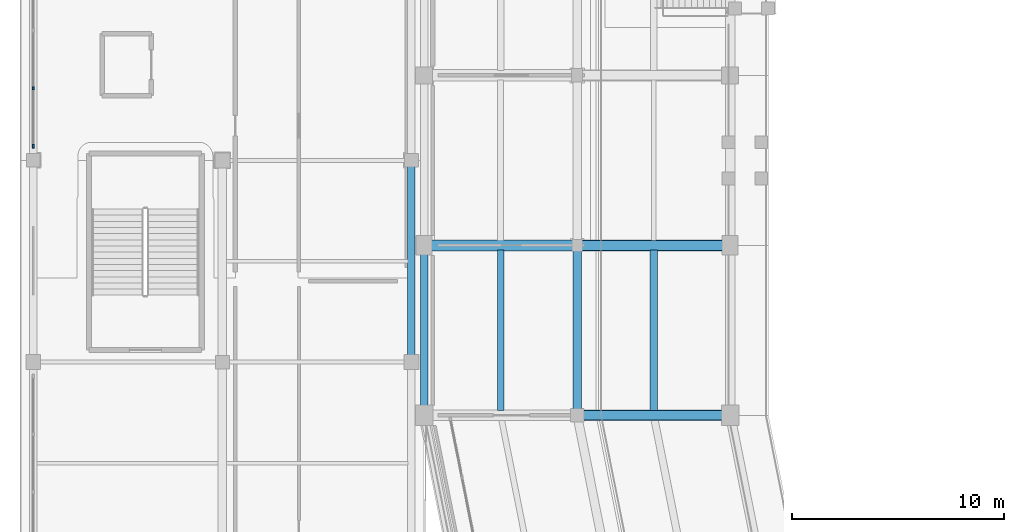
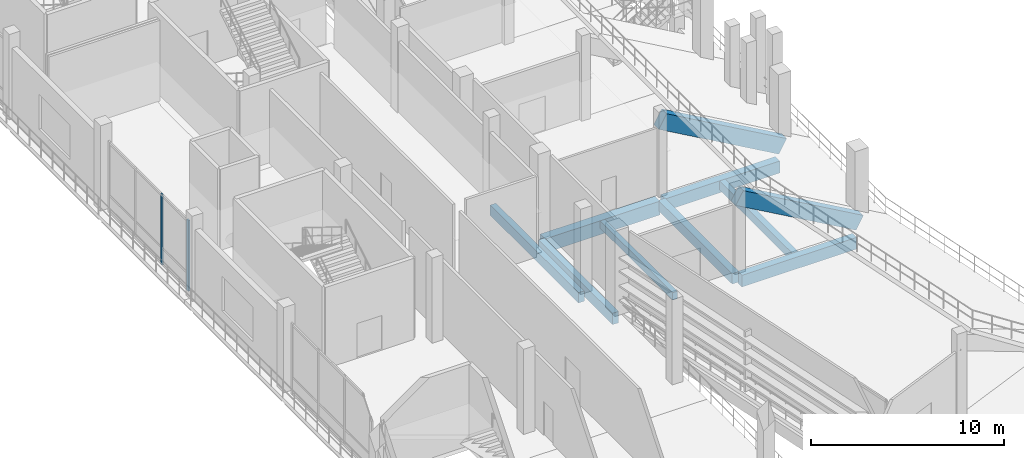
# One storey, part 26 of 127: 10 beams, 2 members, 1 element without a shape of its own.
"""IFC4 building model written with IfcOpenShell, lengths in metres."""

from ifc_helpers import new_model, si_unit, direction, frame, origin, origin_2d, place, context, subcontext, project, spatial, rectangle, extrude, material, material_profile, profile_set, type_object, element, aggregate, save


model = new_model("IFC4")

# Units and contexts
model_context = context("Model", 3, precision=1e-05, world=origin(), true_north=direction((0.0, 1.0)))
body_context = subcontext(model_context, "Body", "Model", "MODEL_VIEW")
ifc_project = project(units=[si_unit("LENGTHUNIT", "METRE"), si_unit("AREAUNIT", "SQUARE_METRE"), si_unit("VOLUMEUNIT", "CUBIC_METRE"), si_unit("PLANEANGLEUNIT", "RADIAN"), si_unit("MASSUNIT", "GRAM", prefix="KILO")], contexts=[model_context])

# Site, building, storey
site_placement = place(None, origin())
site = spatial("IfcSite", under=ifc_project, at=site_placement, CompositionType="ELEMENT")
building_placement = place(site_placement, origin())
building = spatial("IfcBuilding", under=site, at=building_placement, Name="Candeia Ridge Stadium", CompositionType="ELEMENT")
storey_placement = place(building_placement, frame((0.0, 0.0, 10.800048828125)))
storey = spatial("IfcBuildingStorey", under=building, at=storey_placement, Name="L02", CompositionType="ELEMENT", Elevation=10.800048828125)

# Beams
ifc_material_1 = material(Name="Concrete C45/55", Category="concrete")
ifc_material_profile_1 = material_profile(ifc_material_1, rectangle(XDim=0.5, YDim=0.89990234375, at=origin_2d()), Name="RC500x900", Category="concrete")
ifc_profile_set_1 = profile_set([ifc_material_profile_1], Name="Concrete C45/55")
beam_type_1 = type_object("IfcBeamType", Name="Club Stand Raker Beam RC500x900", PredefinedType="USERDEFINED", material=ifc_profile_set_1)
beam_1_placement = place(storey_placement, frame((33.39990234375, 71.0, 0.624267578125), z_axis=(-0.869244421404, 0.0, 0.494382580455), x_axis=(0.0, -1.0, 0.0)))
element("IfcBeam", 1, at=beam_1_placement, inside=storey, type_object=beam_type_1, Name="Stand T2 inclined concrete raker beam 15", ObjectType="RAKER", PredefinedType="USERDEFINED", context=body_context, shape_type="SweptSolid", body=[
    extrude(rectangle(XDim=0.5, YDim=0.89990234375, at=origin_2d()), origin(), (0.0, 0.0, 1.0), 8.282958984375),
])
ifc_material_2 = material(Name="Concrete C40/50", Category="concrete")
ifc_material_profile_2 = material_profile(ifc_material_2, rectangle(XDim=0.35009765625, YDim=0.550048828125, at=origin_2d()), Name="RC350x550", Category="concrete")
ifc_profile_set_2 = profile_set([ifc_material_profile_2], Name="Concrete C40/50")
beam_type_2 = type_object("IfcBeamType", Name="Concourse Concrete Joist RC350x550", PredefinedType="JOIST", material=ifc_profile_set_2)
beam_2_placement = place(storey_placement, frame((29.800048828125, 78.778076171875, -0.53515625), z_axis=(0.0, -1.0, 0.0), x_axis=(1.0, 0.0, 0.0)))
element("IfcBeam", 2, at=beam_2_placement, inside=storey, type_object=beam_type_2, Name="Concourse secondary joist BM-L02-0376", PredefinedType="JOIST", context=body_context, shape_type="SweptSolid", body=[
    extrude(rectangle(XDim=0.35009765625, YDim=0.550048828125, at=origin_2d()), origin(), (0.0, 0.0, 1.0), 7.55615234375),
])

# Curtain wall, members
ifc_material_3 = material(Name="Aluminium Anodized Warm Bronze", Category="aluminium")
curtain_wall_type = type_object("IfcCurtainWallType", Name="Cardinal Entrance Gate Tall Glazed Curtain Wall", PredefinedType="NOTDEFINED", material=ifc_material_3)
curtain_wall_placement = place(storey_placement, origin())
curtain_wall = element("IfcCurtainWall", 3, at=curtain_wall_placement, inside=storey, type_object=curtain_wall_type, Name="Unitised curtain wall CW-WNG-L02-084", PredefinedType="NOTDEFINED")
ifc_material_profile_3 = material_profile(ifc_material_3, rectangle(XDim=0.090087890625, YDim=0.179931640625, at=origin_2d()), Name="CWM-90x180", Category="aluminium")
ifc_profile_set_3 = profile_set([ifc_material_profile_3], Name="Aluminium Anodized Warm Bronze")
member_type_1 = type_object("IfcMemberType", Name="Curtain Wall Primary Mullion 90x180", PredefinedType="MULLION", material=ifc_profile_set_3)
member_1_placement = place(storey_placement, frame((0.60009765625, 83.659912109375, 0.0), z_axis=(0.0, 0.0, 1.0), x_axis=(1.0, 0.0, 0.0)))
member_1 = element("IfcMember", 4, at=member_1_placement, type_object=member_type_1, Name="Curtain wall mullion CW-WNG-L02-084-M0", PredefinedType="MULLION", context=body_context, shape_type="SweptSolid", body=[
    extrude(rectangle(XDim=0.090087890625, YDim=0.179931640625, at=origin_2d()), origin(), (0.0, 0.0, 1.0), 4.48486328125),
])
ifc_material_profile_4 = material_profile(ifc_material_3, rectangle(XDim=0.074951171875, YDim=0.14990234375, at=origin_2d()), Name="CWM-75x150", Category="aluminium")
ifc_profile_set_4 = profile_set([ifc_material_profile_4], Name="Aluminium Anodized Warm Bronze")
member_type_2 = type_object("IfcMemberType", Name="Curtain Wall Secondary Mullion 75x150", PredefinedType="MULLION", material=ifc_profile_set_4)
member_2_placement = place(storey_placement, frame((0.60009765625, 86.38671875, 0.0), z_axis=(0.0, 0.0, 1.0), x_axis=(1.0, 0.0, 0.0)))
member_2 = element("IfcMember", 5, at=member_2_placement, type_object=member_type_2, Name="Curtain wall mullion CW-WNG-L02-084-M1", PredefinedType="MULLION", context=body_context, shape_type="SweptSolid", body=[
    extrude(rectangle(XDim=0.074951171875, YDim=0.14990234375, at=origin_2d()), origin(), (0.0, 0.0, 1.0), 4.48486328125),
])
aggregate(curtain_wall, [member_1, member_2])

# Beams
ifc_material_profile_5 = material_profile(ifc_material_2, rectangle(XDim=0.2900390625, YDim=0.469970703125, at=origin_2d()), Name="RC290x470", Category="concrete")
ifc_profile_set_5 = profile_set([ifc_material_profile_5], Name="Concrete C40/50")
beam_type_3 = type_object("IfcBeamType", Name="Floor Joist RC290x470", PredefinedType="JOIST", material=ifc_profile_set_5)
beam_3_placement = place(storey_placement, frame((22.60009765625, 78.778076171875, -0.4951171875), z_axis=(0.0, -1.0, 0.0), x_axis=(1.0, 0.0, 0.0)))
element("IfcBeam", 6, at=beam_3_placement, inside=storey, type_object=beam_type_3, Name="Concourse secondary joist BM-L02-0377", PredefinedType="JOIST", context=body_context, shape_type="SweptSolid", body=[
    extrude(rectangle(XDim=0.2900390625, YDim=0.469970703125, at=origin_2d()), origin(), (0.0, 0.0, 1.0), 7.55615234375),
])
ifc_material_profile_6 = material_profile(ifc_material_2, rectangle(XDim=0.409912109375, YDim=0.659912109375, at=origin_2d()), Name="RC410x660", Category="concrete")
ifc_profile_set_6 = profile_set([ifc_material_profile_6], Name="Concrete C40/50")
beam_type_4 = type_object("IfcBeamType", Name="Frame Girder RC410x660", PredefinedType="BEAM", material=ifc_profile_set_6)
beam_4_placement = place(storey_placement, frame((26.199951171875, 78.840087890625, -0.590087890625), z_axis=(0.0, -1.0, 0.0), x_axis=(1.0, 0.0, 0.0)))
element("IfcBeam", 7, at=beam_4_placement, inside=storey, type_object=beam_type_4, Name="Concourse spine girder BM-L02-0374", PredefinedType="BEAM", context=body_context, shape_type="SweptSolid", body=[
    extrude(rectangle(XDim=0.409912109375, YDim=0.659912109375, at=origin_2d()), origin(), (0.0, 0.0, 1.0), 7.68017578125),
])
ifc_material_profile_7 = material_profile(ifc_material_2, rectangle(XDim=0.429931640625, YDim=0.739990234375, at=origin_2d()), Name="RC430x740", Category="concrete")
ifc_profile_set_7 = profile_set([ifc_material_profile_7], Name="Concrete C40/50")
beam_type_5 = type_object("IfcBeamType", Name="Frame Girder RC430x740", PredefinedType="BEAM", material=ifc_profile_set_7)
beam_5_placement = place(storey_placement, frame((33.239990234375, 71.0, -0.630126953125), z_axis=(-1.0, 0.0, 0.0), x_axis=(0.0, -1.0, 0.0)))
element("IfcBeam", 8, at=beam_5_placement, inside=storey, type_object=beam_type_5, Name="Bowl radial girder BM-L02-0269", PredefinedType="BEAM", context=body_context, shape_type="SweptSolid", body=[
    extrude(rectangle(XDim=0.429931640625, YDim=0.739990234375, at=origin_2d()), origin(), (0.0, 0.0, 1.0), 6.8798828125),
])
ifc_material_profile_8 = material_profile(ifc_material_2, rectangle(XDim=0.469970703125, YDim=0.760009765625, at=origin_2d()), Name="RC470x760", Category="concrete")
ifc_profile_set_8 = profile_set([ifc_material_profile_8], Name="Concrete C40/50")
beam_type_6 = type_object("IfcBeamType", Name="Frame Girder RC470x760", PredefinedType="BEAM", material=ifc_profile_set_8)
beam_6_placement = place(storey_placement, frame((33.239990234375, 79.0, -0.64013671875), z_axis=(-1.0, 0.0, 0.0), x_axis=(0.0, -1.0, 0.0)))
element("IfcBeam", 9, at=beam_6_placement, inside=storey, type_object=beam_type_6, Name="Bowl radial girder BM-L02-0267", PredefinedType="BEAM", context=body_context, shape_type="SweptSolid", body=[
    extrude(rectangle(XDim=0.469970703125, YDim=0.760009765625, at=origin_2d()), origin(), (0.0, 0.0, 1.0), 6.8798828125),
])
ifc_material_profile_9 = material_profile(ifc_material_1, rectangle(XDim=0.52001953125, YDim=0.8798828125, at=origin_2d()), Name="RC520x880", Category="concrete")
ifc_profile_set_9 = profile_set([ifc_material_profile_9], Name="Concrete C45/55")
beam_type_7 = type_object("IfcBeamType", Name="Frame Girder RC520x880", PredefinedType="BEAM", material=ifc_profile_set_9)
beam_7_placement = place(storey_placement, frame((26.0400390625, 79.0, -0.699951171875), z_axis=(-1.0, 0.0, 0.0), x_axis=(0.0, -1.0, 0.0)))
element("IfcBeam", 10, at=beam_7_placement, inside=storey, type_object=beam_type_7, Name="Bowl radial girder BM-L02-0268", PredefinedType="BEAM", context=body_context, shape_type="SweptSolid", body=[
    extrude(rectangle(XDim=0.52001953125, YDim=0.8798828125, at=origin_2d()), origin(), (0.0, 0.0, 1.0), 6.880126953125),
])
ifc_material_profile_10 = material_profile(ifc_material_2, rectangle(XDim=0.35009765625, YDim=0.64990234375, at=origin_2d()), Name="RC350x650", Category="concrete")
ifc_profile_set_10 = profile_set([ifc_material_profile_10], Name="Concrete C40/50")
beam_type_8 = type_object("IfcBeamType", Name="Spandrel Beam RC350x650", PredefinedType="SPANDREL", material=ifc_profile_set_10)
beam_8_placement = place(storey_placement, frame((18.39990234375, 73.659912109375, -0.5849609375), z_axis=(0.0, 1.0, 0.0), x_axis=(-1.0, 0.0, 0.0)))
element("IfcBeam", 11, at=beam_8_placement, inside=storey, type_object=beam_type_8, Name="Structural girder BM-L02-1144", PredefinedType="SPANDREL", context=body_context, shape_type="SweptSolid", body=[
    extrude(rectangle(XDim=0.35009765625, YDim=0.64990234375, at=origin_2d()), origin(), (0.0, 0.0, 1.0), 9.18017578125),
])
ifc_material_profile_11 = material_profile(ifc_material_1, rectangle(XDim=0.360107421875, YDim=0.719970703125, at=origin_2d()), Name="RC360x720", Category="concrete")
ifc_profile_set_11 = profile_set([ifc_material_profile_11], Name="Concrete C45/55")
beam_type_9 = type_object("IfcBeamType", Name="Spandrel Beam RC360x720", PredefinedType="SPANDREL", material=ifc_profile_set_11)
beam_9_placement = place(storey_placement, frame((19.0, 78.840087890625, -0.6201171875), z_axis=(0.0, -1.0, 0.0), x_axis=(1.0, 0.0, 0.0)))
element("IfcBeam", 12, at=beam_9_placement, inside=storey, type_object=beam_type_9, Name="Bowl perimeter spandrel BM-L02-0375", PredefinedType="SPANDREL", context=body_context, shape_type="SweptSolid", body=[
    extrude(rectangle(XDim=0.360107421875, YDim=0.719970703125, at=origin_2d()), origin(), (0.0, 0.0, 1.0), 7.68017578125),
])
ifc_material_profile_12 = material_profile(ifc_material_1, rectangle(XDim=0.52001953125, YDim=0.949951171875, at=origin_2d()), Name="RC520x950", Category="concrete")
ifc_profile_set_12 = profile_set([ifc_material_profile_12], Name="Concrete C45/55")
beam_type_10 = type_object("IfcBeamType", Name="Stand Raker Beam RC520x950", PredefinedType="USERDEFINED", material=ifc_profile_set_12)
beam_10_placement = place(storey_placement, frame((33.39990234375, 79.0, 0.624267578125), z_axis=(-0.869244421404, 0.0, 0.494382580455), x_axis=(0.0, -1.0, 0.0)))
element("IfcBeam", 13, at=beam_10_placement, inside=storey, type_object=beam_type_10, Name="Stand T2 inclined concrete raker beam 14", ObjectType="RAKER", PredefinedType="USERDEFINED", context=body_context, shape_type="SweptSolid", body=[
    extrude(rectangle(XDim=0.52001953125, YDim=0.949951171875, at=origin_2d()), origin(), (0.0, 0.0, 1.0), 8.282958984375),
])

save(model, "model.ifc")
